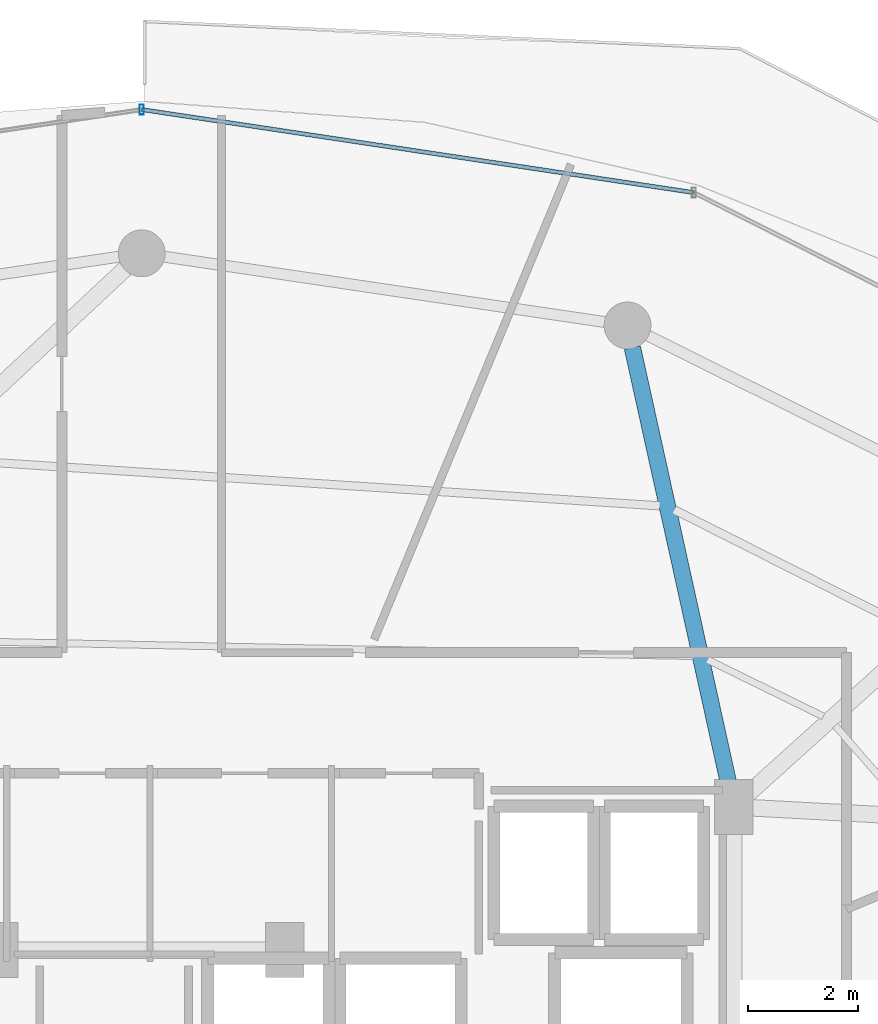
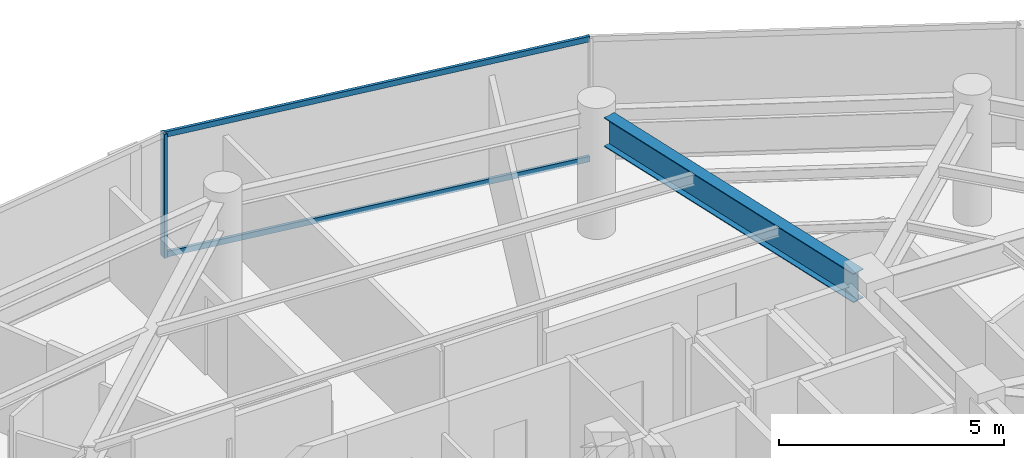
# One storey, part 20 of 31: 3 members, 1 beam, 1 element without a shape of its own.
"""IFC4 building model written with IfcOpenShell, lengths in metres."""

import ifcopenshell
import ifcopenshell.guid

model = None  # the IFC model being written
_history = None  # IfcOwnerHistory: only IFC2X3 demands one
_inside = {}  # id of a spatial element -> (the spatial element, [elements in it])
_under = {}  # id of a project, library or spatial element -> (it, [spatial elements below it])
_declared = {}  # id of a project -> (the project, [libraries it declares])
_typed = {}  # id of a type object -> (the type object, [elements of that type])
_made_of = {}  # id of a material, layer set ... -> (it, [elements and type objects made of it])


def new_model(schema):
    """Start an empty IFC model of exactly this schema.

    Asked for "IFC4X3", IfcOpenShell would pick the latest addendum, in which some entities
    have other attributes; the version numbers below select the first issue.
    IFC2X3 requires an IfcOwnerHistory on every rooted entity: one is made here for all.
    """
    global model, _history
    if schema == "IFC4X3":
        model = ifcopenshell.file(schema_version=(4, 3, 0, 0))
    else:
        model = ifcopenshell.file(schema=schema)
    _inside.clear()
    _under.clear()
    _declared.clear()
    _typed.clear()
    _made_of.clear()
    _history = None
    if model.schema == "IFC2X3":
        org = make("IfcOrganization", Name="unknown")
        user = make(
            "IfcPersonAndOrganization",
            ThePerson=make("IfcPerson", FamilyName="unknown"),
            TheOrganization=org,
        )
        app = make(
            "IfcApplication",
            ApplicationDeveloper=org,
            Version="unknown",
            ApplicationFullName="unknown",
            ApplicationIdentifier="unknown",
        )
        _history = make(
            "IfcOwnerHistory",
            OwningUser=user,
            OwningApplication=app,
            ChangeAction="ADDED",
            CreationDate=0,
        )
    return model


def make(cls, **values):
    """One entity of the class cls with the attributes given. An attribute that is None is left unset."""
    return model.create_entity(
        cls, **{name: value for name, value in values.items() if value is not None}
    )


def rooted(cls, **values):
    """An entity with a GlobalId (a new one), such as an element, a storey or a relation."""
    return make(cls, GlobalId=ifcopenshell.guid.new(), OwnerHistory=_history, **values)


def si_unit(unit_type, name, prefix=None):
    """IfcSIUnit, for example si_unit("LENGTHUNIT", "METRE", prefix="MILLI")."""
    return make("IfcSIUnit", UnitType=unit_type, Prefix=prefix, Name=name)


def assignment(units):
    """IfcUnitAssignment: the units of a project."""
    return None if units is None else make("IfcUnitAssignment", Units=units)


def point(xyz):
    """IfcCartesianPoint."""
    return None if xyz is None else make("IfcCartesianPoint", Coordinates=xyz)


def direction(xyz):
    """IfcDirection."""
    return None if xyz is None else make("IfcDirection", DirectionRatios=xyz)


def frame(location, z_axis=None, x_axis=None):
    """IfcAxis2Placement3D, a coordinate frame: its origin and axes. An axis left out is left unset."""
    return make(
        "IfcAxis2Placement3D",
        Location=point(location),
        Axis=direction(z_axis),
        RefDirection=direction(x_axis),
    )


def frame_2d(location, x_axis=None):
    """IfcAxis2Placement2D, a coordinate frame in the plane: its origin and x axis."""
    return make(
        "IfcAxis2Placement2D", Location=point(location), RefDirection=direction(x_axis)
    )


def origin():
    """The frame at (0, 0, 0) with its axes left unset."""
    return frame((0.0, 0.0, 0.0))


def origin_2d():
    """The frame at (0, 0) in the plane with its x axis left unset."""
    return frame_2d((0.0, 0.0))


def place(relative_to, where):
    """IfcLocalPlacement: puts the frame where relative to a parent placement (None: the world)."""
    return make(
        "IfcLocalPlacement", PlacementRelTo=relative_to, RelativePlacement=where
    )


def context(
    kind, dimensions, precision=None, world=None, true_north=None, identifier=None
):
    """IfcGeometricRepresentationContext, for example the 3D "Model" context."""
    return make(
        "IfcGeometricRepresentationContext",
        ContextIdentifier=identifier,
        ContextType=kind,
        CoordinateSpaceDimension=dimensions,
        Precision=precision,
        WorldCoordinateSystem=world,
        TrueNorth=true_north,
    )


def subcontext(parent, identifier, kind, view, scale=None):
    """IfcGeometricRepresentationSubContext, for example "Body" below "Model"."""
    return make(
        "IfcGeometricRepresentationSubContext",
        ContextIdentifier=identifier,
        ContextType=kind,
        ParentContext=parent,
        TargetScale=scale,
        TargetView=view,
    )


def project(units=None, contexts=None):
    """IfcProject with its units and contexts."""
    return rooted(
        "IfcProject",
        Name="project",
        RepresentationContexts=contexts,
        UnitsInContext=assignment(units),
    )


def spatial(cls, under=None, at=None, **own):
    """A site, building, storey or space (cls), placed at a placement, below another one or the project."""
    s = rooted(cls, ObjectPlacement=at, **own)
    if under is not None:
        _under.setdefault(under.id(), (under, []))[1].append(s)
    return s


def profile(cls, at=None, kind="AREA", **sizes):
    """A parametric profile (cls). Its sizes go by their IFC names, for example OverallWidth=200.0."""
    return make(cls, ProfileType=kind, Position=at, **sizes)


def hollow_rectangle(**sizes):
    """IfcRectangleHollowProfileDef."""
    return profile("IfcRectangleHollowProfileDef", **sizes)


def i_section(**sizes):
    """IfcIShapeProfileDef."""
    return profile("IfcIShapeProfileDef", **sizes)


def extrude(swept, where, along, depth):
    """IfcExtrudedAreaSolid: the profile swept, set in the frame where, extruded along a direction by depth."""
    return make(
        "IfcExtrudedAreaSolid",
        SweptArea=swept,
        Position=where,
        ExtrudedDirection=direction(along),
        Depth=depth,
    )


def shape(context_of_items, identifier, shape_type, items):
    """IfcShapeRepresentation: the items that make up one representation, for example the "Body"."""
    return make(
        "IfcShapeRepresentation",
        ContextOfItems=context_of_items,
        RepresentationIdentifier=identifier,
        RepresentationType=shape_type,
        Items=items,
    )


def material(Name=None, Category=None):
    """IfcMaterial."""
    return make("IfcMaterial", Name=Name, Category=Category)


def material_profile(
    of_material, cross_section, Name=None, Category=None, Priority=None
):
    """IfcMaterialProfile: a cross section and its material."""
    return make(
        "IfcMaterialProfile",
        Name=Name,
        Material=of_material,
        Profile=cross_section,
        Priority=Priority,
        Category=Category,
    )


def profile_set(profiles, Name=None, composite=None):
    """IfcMaterialProfileSet."""
    return make(
        "IfcMaterialProfileSet",
        Name=Name,
        MaterialProfiles=profiles,
        CompositeProfile=composite,
    )


def made_of(thing, what):
    """Note that an element or type object is made of a material, layer set ...; save() writes the relation."""
    if what is not None:
        _made_of.setdefault(what.id(), (what, []))[1].append(thing)
    return thing


def type_object(cls, material=None, **own):
    """A type object (cls), such as IfcWallType, which elements share."""
    return made_of(rooted(cls, **own), material)


def element(
    cls,
    number,
    at=None,
    inside=None,
    cuts=None,
    type_object=None,
    material=None,
    context=None,
    identifier="Body",
    shape_type=None,
    held_by="IfcProductDefinitionShape",
    body=None,
    shapes=None,
    **own,
):
    """One element of the class cls, such as IfcWall. Its Tag is "e" and its number.

    at: its placement. inside: the storey or other place that contains it. cuts: it is an
    opening in that element (IfcRelVoidsElement). A single representation is given by context,
    identifier, shape_type and body (its items); several are given by shapes. held_by: the class
    of the entity that holds the representations. save() writes the other relations.
    """
    e = rooted(cls, Tag="e%d" % number, ObjectPlacement=at, **own)
    if body is not None:
        shapes = [shape(context, identifier, shape_type, body)]
    if shapes is not None:
        e.Representation = make(held_by, Representations=shapes)
    if inside is not None:
        _inside.setdefault(inside.id(), (inside, []))[1].append(e)
    if cuts is not None:
        rooted(
            "IfcRelVoidsElement", RelatingBuildingElement=cuts, RelatedOpeningElement=e
        )
    if type_object is not None:
        _typed.setdefault(type_object.id(), (type_object, []))[1].append(e)
    return made_of(e, material)


def aggregate(whole, parts):
    """IfcRelAggregates: a whole, such as a stair, and the parts it consists of."""
    return rooted("IfcRelAggregates", RelatingObject=whole, RelatedObjects=parts)


def save(model, path):
    """Write the relations noted so far, then the file.

    IfcRelAggregates (storeys below a building ...), IfcRelContainedInSpatialStructure (elements
    in a storey), IfcRelDefinesByType, IfcRelAssociatesMaterial and IfcRelDeclares: one each for
    every whole, place, type object, material and project.
    """
    for whole, parts in _under.values():
        aggregate(whole, parts)
    for where, things in _inside.values():
        rooted(
            "IfcRelContainedInSpatialStructure",
            RelatedElements=things,
            RelatingStructure=where,
        )
    for kind, things in _typed.values():
        rooted("IfcRelDefinesByType", RelatedObjects=things, RelatingType=kind)
    for what, things in _made_of.values():
        rooted("IfcRelAssociatesMaterial", RelatedObjects=things, RelatingMaterial=what)
    for by, libraries in _declared.values():
        rooted("IfcRelDeclares", RelatingContext=by, RelatedDefinitions=libraries)
    model.write(path)


model = new_model("IFC4")

# Units and contexts
model_context = context("Model", 3, precision=1e-05, world=origin(), true_north=direction((0.0, 1.0)))
body_context = subcontext(model_context, "Body", "Model", "MODEL_VIEW")
ifc_project = project(units=[si_unit("LENGTHUNIT", "METRE"), si_unit("AREAUNIT", "SQUARE_METRE"), si_unit("VOLUMEUNIT", "CUBIC_METRE"), si_unit("PLANEANGLEUNIT", "RADIAN"), si_unit("MASSUNIT", "GRAM", prefix="KILO")], contexts=[model_context])

# Site, building, storey
site_placement = place(None, origin())
site = spatial("IfcSite", under=ifc_project, at=site_placement, CompositionType="ELEMENT")
building_placement = place(site_placement, origin())
building = spatial("IfcBuilding", under=site, at=building_placement, Name="Vorneva Point Tower", CompositionType="ELEMENT")
storey_placement = place(building_placement, frame((0.0, 0.0, 248.449951171875)))
storey = spatial("IfcBuildingStorey", under=building, at=storey_placement, Name="L67", CompositionType="ELEMENT", Elevation=248.449951171875)

# Beam
ifc_material_1 = material(Name="Steel S355", Category="steel")
ifc_material_profile_1 = material_profile(ifc_material_1, i_section(OverallWidth=0.300048828125, OverallDepth=0.7880859375, WebThickness=0.014404296875, FlangeThickness=0.02197265625, at=origin_2d()), Name="80Sh1")
ifc_profile_set_1 = profile_set([ifc_material_profile_1], Name="Steel S355")
beam_type = type_object("IfcBeamType", Name="BM-GRD-80Sh1", PredefinedType="USERDEFINED", material=ifc_profile_set_1)
beam_placement = place(storey_placement, frame((46.909912109375, 41.4873046875, 2.89599609375), z_axis=(0.215520742957, -0.976499262342, 0.0), x_axis=(0.976499262342, 0.215520742957, 0.0)))
element("IfcBeam", 1, at=beam_placement, inside=storey, type_object=beam_type, Name="L67 Radial Primary Girder 04", ObjectType="GIRDER", PredefinedType="USERDEFINED", context=body_context, shape_type="SweptSolid", body=[
    extrude(i_section(OverallWidth=0.300048828125, OverallDepth=0.7880859375, WebThickness=0.014404296875, FlangeThickness=0.02197265625, at=origin_2d()), origin(), (0.0, 0.0, 1.0), 8.197998046875),
])

# Curtain wall, members
ifc_material_2 = material(Name="Pale anodised aluminium", Category="aluminium")
curtain_wall_type = type_object("IfcCurtainWallType", Name="CW-RES-SYS", PredefinedType="NOTDEFINED", material=ifc_material_2)
curtain_wall_placement = place(storey_placement, origin())
curtain_wall = element("IfcCurtainWall", 2, at=curtain_wall_placement, inside=storey, type_object=curtain_wall_type, Name="L67 Unitised Curtain Wall CW-L67-R02", PredefinedType="NOTDEFINED")
ifc_material_profile_2 = material_profile(ifc_material_2, hollow_rectangle(XDim=0.074951171875, YDim=0.179931640625, WallThickness=0.00390625, at=origin_2d()), Name="AL-MUL 180x75x4")
ifc_profile_set_2 = profile_set([ifc_material_profile_2], Name="Pale anodised aluminium")
member_type_1 = type_object("IfcMemberType", Name="CW-MUL-180", PredefinedType="MULLION", material=ifc_profile_set_2)
member_1_placement = place(storey_placement, frame((38.0, 45.81005859375, -0.0400390625), z_axis=(0.0, 0.0, 1.0), x_axis=(1.0, 0.0, 0.0)))
member_1 = element("IfcMember", 3, at=member_1_placement, type_object=member_type_1, Name="CW-L67-R02 Mullion 03", PredefinedType="MULLION", context=body_context, shape_type="SweptSolid", body=[
    extrude(hollow_rectangle(XDim=0.074951171875, YDim=0.179931640625, WallThickness=0.00390625, at=origin_2d()), origin(), (0.0, 0.0, 1.0), 3.360107421875),
])
ifc_material_profile_3 = material_profile(ifc_material_2, hollow_rectangle(XDim=0.074951171875, YDim=0.14990234375, WallThickness=0.00390625, at=origin_2d()), Name="AL-TRN 150x75x4")
ifc_profile_set_3 = profile_set([ifc_material_profile_3], Name="Pale anodised aluminium")
member_type_2 = type_object("IfcMemberType", Name="CW-TRN-150", PredefinedType="USERDEFINED", material=ifc_profile_set_3)
member_2_placement = place(storey_placement, frame((48.0263671875, 44.302001953125, 0.02001953125), z_axis=(-0.988876929856, 0.148736066907, 0.0), x_axis=(-0.148736066907, -0.988876929856, 0.0)))
member_2 = element("IfcMember", 4, at=member_2_placement, type_object=member_type_2, Name="CW-L67-R02 Transom 02.1", ObjectType="TRANSOM", PredefinedType="USERDEFINED", context=body_context, shape_type="SweptSolid", body=[
    extrude(hollow_rectangle(XDim=0.074951171875, YDim=0.14990234375, WallThickness=0.00390625, at=origin_2d()), origin(), (0.0, 0.0, 1.0), 10.13916015625),
])
member_3_placement = place(storey_placement, frame((48.0263671875, 44.302001953125, 3.27001953125), z_axis=(-0.988876929856, 0.148736066907, 0.0), x_axis=(-0.148736066907, -0.988876929856, 0.0)))
member_3 = element("IfcMember", 5, at=member_3_placement, type_object=member_type_2, Name="CW-L67-R02 Transom 02.2", ObjectType="TRANSOM", PredefinedType="USERDEFINED", context=body_context, shape_type="SweptSolid", body=[
    extrude(hollow_rectangle(XDim=0.074951171875, YDim=0.14990234375, WallThickness=0.00390625, at=origin_2d()), origin(), (0.0, 0.0, 1.0), 10.13916015625),
])
aggregate(curtain_wall, [member_1, member_2, member_3])

save(model, "model.ifc")
